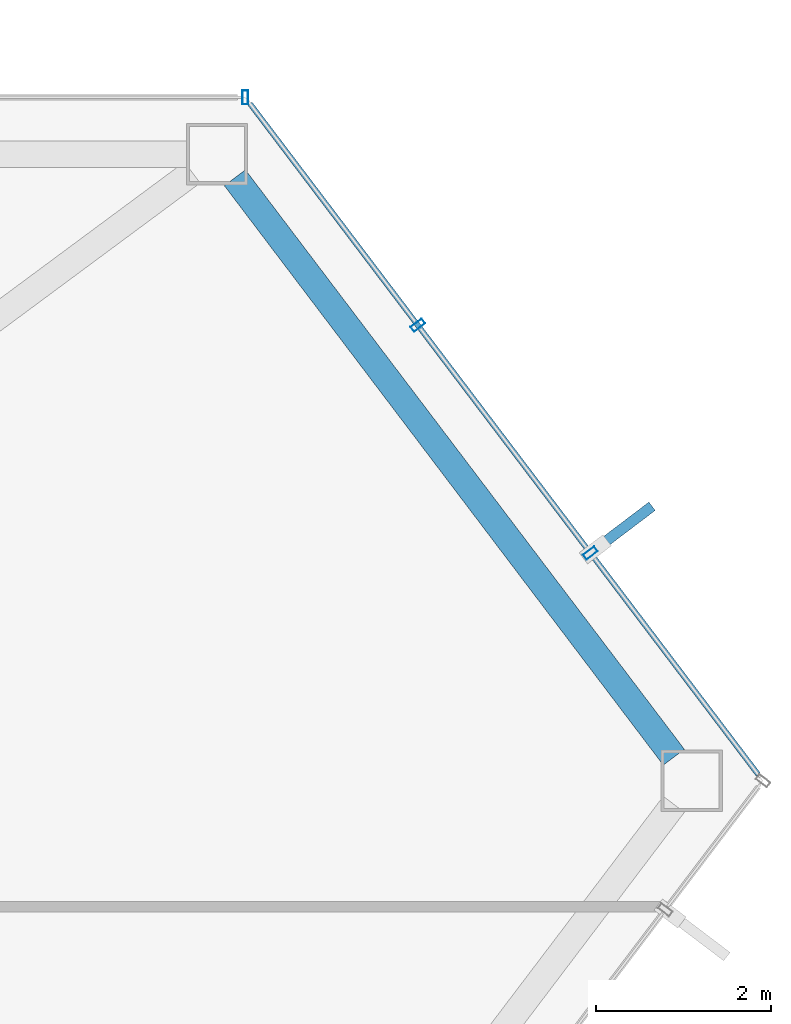
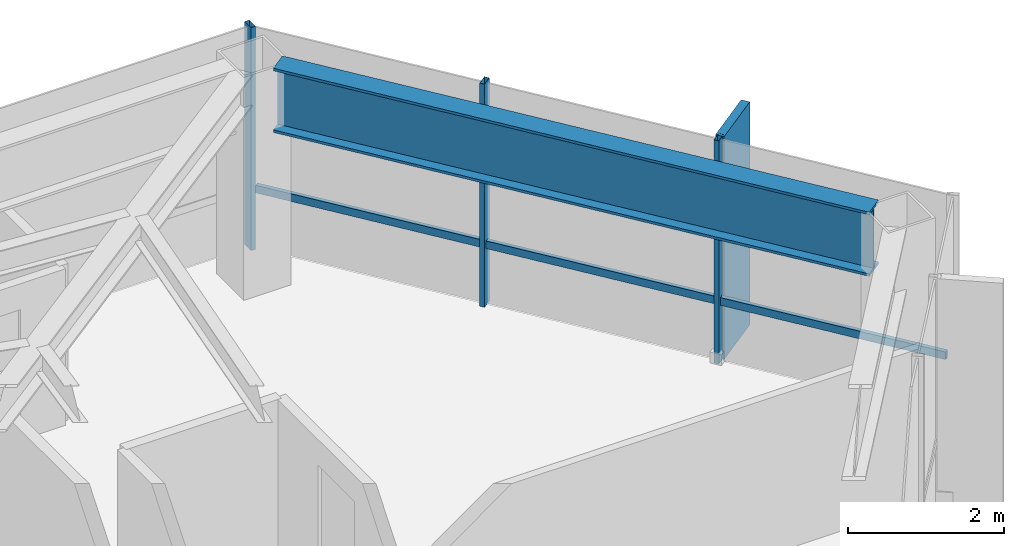
# One storey, part 23 of 28: 5 members, 1 beam, 2 elements without a shape of their own.
"""IFC4 building model written with IfcOpenShell, lengths in metres."""

from ifc_helpers import new_model, si_unit, direction, frame, origin, origin_2d, place, context, subcontext, project, spatial, rectangle, hollow_rectangle, i_section, extrude, material, layer, layer_set, material_profile, profile_set, type_object, element, aggregate, save


model = new_model("IFC4")

# Units and contexts
model_context = context("Model", 3, precision=1e-05, world=origin(), true_north=direction((0.0, 1.0)))
body_context = subcontext(model_context, "Body", "Model", "MODEL_VIEW")
ifc_project = project(units=[si_unit("LENGTHUNIT", "METRE"), si_unit("AREAUNIT", "SQUARE_METRE"), si_unit("VOLUMEUNIT", "CUBIC_METRE"), si_unit("PLANEANGLEUNIT", "RADIAN"), si_unit("MASSUNIT", "GRAM", prefix="KILO")], contexts=[model_context])

# Site, building, storey
site_placement = place(None, origin())
site = spatial("IfcSite", under=ifc_project, at=site_placement, CompositionType="ELEMENT")
building_placement = place(site_placement, origin())
building = spatial("IfcBuilding", under=site, at=building_placement, Name="Zarrinselat Tower", CompositionType="ELEMENT")
storey_placement = place(building_placement, frame((0.0, 0.0, 187.0)))
storey = spatial("IfcBuildingStorey", under=building, at=storey_placement, Name="L46", CompositionType="ELEMENT", Elevation=187.0)

# Beam
ifc_material_1 = material(Name="Steel S460M", Category="steel")
ifc_material_profile_1 = material_profile(ifc_material_1, i_section(OverallWidth=0.302001953125, OverallDepth=1.008056640625, WebThickness=0.02099609375, FlangeThickness=0.0400390625, at=origin_2d()), Name="HEM 1000")
ifc_profile_set_1 = profile_set([ifc_material_profile_1], Name="Steel S460M")
beam_type = type_object("IfcBeamType", Name="BM-HEM1000", PredefinedType="BEAM", material=ifc_profile_set_1)
beam_placement = place(storey_placement, frame((56.964111328125, 47.686279296875, 2.99609375), z_axis=(0.603858818455, -0.797091291744, 0.0), x_axis=(0.797091291744, 0.603858818455, 0.0)))
element("IfcBeam", 1, at=beam_placement, inside=storey, type_object=beam_type, Name="L46 Perimeter Spandrel Girder SP15", PredefinedType="BEAM", context=body_context, shape_type="SweptSolid", body=[
    extrude(i_section(OverallWidth=0.302001953125, OverallDepth=1.008056640625, WebThickness=0.02099609375, FlangeThickness=0.0400390625, at=origin_2d()), origin(), (0.0, 0.0, 1.0), 8.316162109375),
])

# Curtain wall, member
ifc_material_2 = material(Name="Extruded Aluminium Alloy EN AW-6063 T6", Category="aluminium")
ifc_layer = layer(ifc_material_2, 0.175048828125)
ifc_layer_set = layer_set([ifc_layer], Name="Extruded Aluminium Alloy EN AW-6063 T6")
curtain_wall_type = type_object("IfcCurtainWallType", Name="CWS-HTL", PredefinedType="NOTDEFINED", material=ifc_layer_set)
curtain_wall_1_placement = place(storey_placement, origin())
curtain_wall_1 = element("IfcCurtainWall", 2, at=curtain_wall_1_placement, inside=storey, type_object=curtain_wall_type, Name="L46 Unitised Curtain Wall CW-L46-E01", PredefinedType="NOTDEFINED")
ifc_material_3 = material(Name="Extruded Aluminium Alloy EN AW-6063 T6", Category="aluminium")
ifc_material_profile_2 = material_profile(ifc_material_3, hollow_rectangle(XDim=0.070068359375, YDim=0.159912109375, WallThickness=0.00390625, at=origin_2d()), Name="RHS 160x70x4")
ifc_profile_set_2 = profile_set([ifc_material_profile_2], Name="Extruded Aluminium Alloy EN AW-6063 T6")
member_type_1 = type_object("IfcMemberType", Name="MEM-CW-MUL2", PredefinedType="MULLION", material=ifc_profile_set_2)
member_1_placement = place(storey_placement, frame((57.0830078125, 48.605712890625, 0.0), z_axis=(0.0, 0.0, 1.0), x_axis=(-1.0, 0.0, 0.0)))
member_1 = element("IfcMember", 3, at=member_1_placement, type_object=member_type_1, Name="CW-L46-E01 Mullion 0", PredefinedType="MULLION", context=body_context, shape_type="SweptSolid", body=[
    extrude(hollow_rectangle(XDim=0.070068359375, YDim=0.159912109375, WallThickness=0.00390625, at=origin_2d()), origin(), (0.0, 0.0, 1.0), 3.5),
])
aggregate(curtain_wall_1, [member_1])

# Curtain wall, members
curtain_wall_2_placement = place(storey_placement, origin())
curtain_wall_2 = element("IfcCurtainWall", 4, at=curtain_wall_2_placement, inside=storey, type_object=curtain_wall_type, Name="L46 Unitised Curtain Wall CW-L46-E06", PredefinedType="NOTDEFINED")
member_2_placement = place(storey_placement, frame((61.03125, 43.393798828125, 0.0), z_axis=(0.0, 0.0, 1.0), x_axis=(-0.603861025256, 0.797089619916, 0.0)))
member_2 = element("IfcMember", 5, at=member_2_placement, type_object=member_type_1, Name="CW-L46-E06 Mullion 1", PredefinedType="MULLION", context=body_context, shape_type="SweptSolid", body=[
    extrude(hollow_rectangle(XDim=0.070068359375, YDim=0.159912109375, WallThickness=0.00390625, at=origin_2d()), origin(), (0.0, 0.0, 1.0), 3.5),
])
member_3_placement = place(storey_placement, frame((59.05712890625, 45.999755859375, 0.0), z_axis=(0.0, 0.0, 1.0), x_axis=(-0.603861025256, 0.797089619916, 0.0)))
member_3 = element("IfcMember", 6, at=member_3_placement, type_object=member_type_1, Name="CW-L46-E06 Mullion 2", PredefinedType="MULLION", context=body_context, shape_type="SweptSolid", body=[
    extrude(hollow_rectangle(XDim=0.070068359375, YDim=0.159912109375, WallThickness=0.00390625, at=origin_2d()), origin(), (0.0, 0.0, 1.0), 3.5),
])
ifc_material_4 = material(Name="Extruded Aluminium Alloy EN AW-6063 T6", Category="aluminium")
ifc_material_profile_3 = material_profile(ifc_material_4, hollow_rectangle(XDim=0.06005859375, YDim=0.1201171875, WallThickness=0.00390625, at=origin_2d()), Name="RHS 120x60x4")
ifc_profile_set_3 = profile_set([ifc_material_profile_3], Name="Extruded Aluminium Alloy EN AW-6063 T6")
member_type_2 = type_object("IfcMemberType", Name="MEM-CW-TRN2", PredefinedType="USERDEFINED", material=ifc_profile_set_3)
member_4_placement = place(storey_placement, frame((62.951171875, 40.85986328125, 0.949951171875), z_axis=(-0.603875752097, 0.797078462907, 0.0), x_axis=(-0.797078462907, -0.603875752097, 0.0)))
member_4 = element("IfcMember", 7, at=member_4_placement, type_object=member_type_2, Name="CW-L46-E06 Transom 1", ObjectType="TRANSOM", PredefinedType="USERDEFINED", context=body_context, shape_type="SweptSolid", body=[
    extrude(hollow_rectangle(XDim=0.06005859375, YDim=0.1201171875, WallThickness=0.00390625, at=origin_2d()), origin(), (0.0, 0.0, 1.0), 9.627685546875),
])
ifc_material_5 = material(Name="Honed Cream Travertine Stone", Category="masonry")
ifc_material_profile_4 = material_profile(ifc_material_5, rectangle(XDim=0.1201171875, YDim=0.85009765625, at=origin_2d()), Name="FIN 850x120")
ifc_profile_set_4 = profile_set([ifc_material_profile_4], Name="Honed Cream Travertine Stone")
member_type_3 = type_object("IfcMemberType", Name="MEM-STONE-FIN", PredefinedType="USERDEFINED", material=ifc_profile_set_4)
member_5_placement = place(storey_placement, frame((61.39794921875, 43.671630859375, 0.0), z_axis=(0.0, 0.0, 1.0), x_axis=(0.603861025256, -0.797089619916, 0.0)))
member_5 = element("IfcMember", 8, at=member_5_placement, type_object=member_type_3, Name="L46 Stone Shading Fin CW-L46-E06-01", ObjectType="FIN", PredefinedType="USERDEFINED", context=body_context, shape_type="SweptSolid", body=[
    extrude(rectangle(XDim=0.1201171875, YDim=0.85009765625, at=origin_2d()), origin(), (0.0, 0.0, 1.0), 3.5),
])
aggregate(curtain_wall_2, [member_2, member_5, member_3, member_4])

save(model, "model.ifc")
